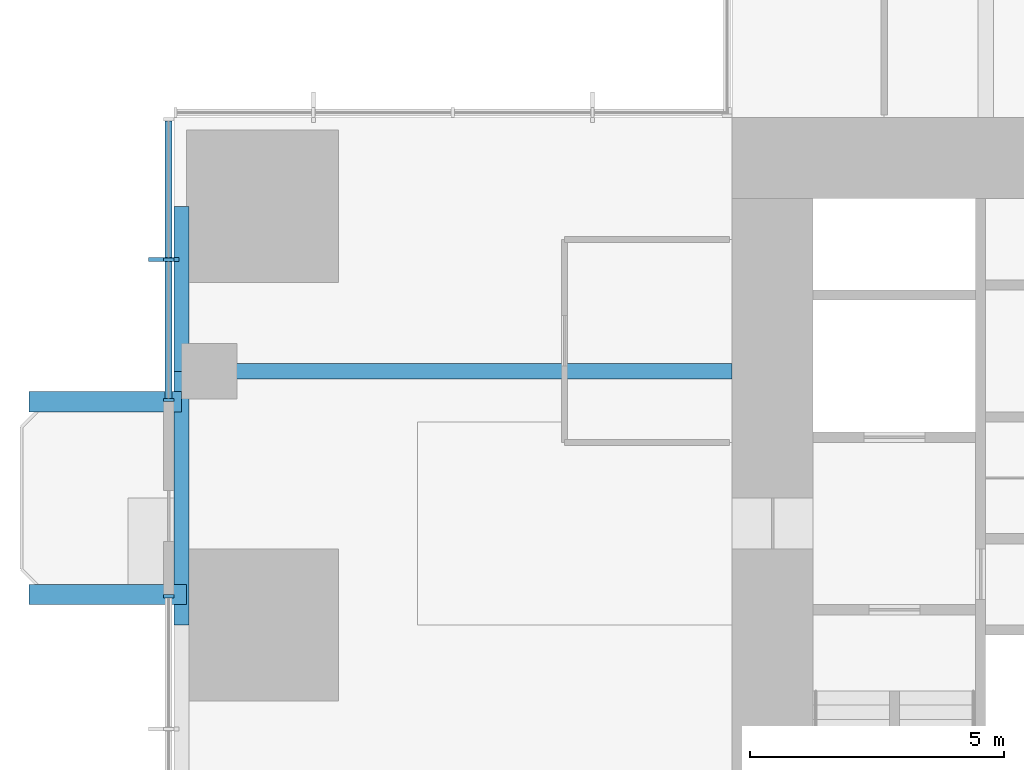
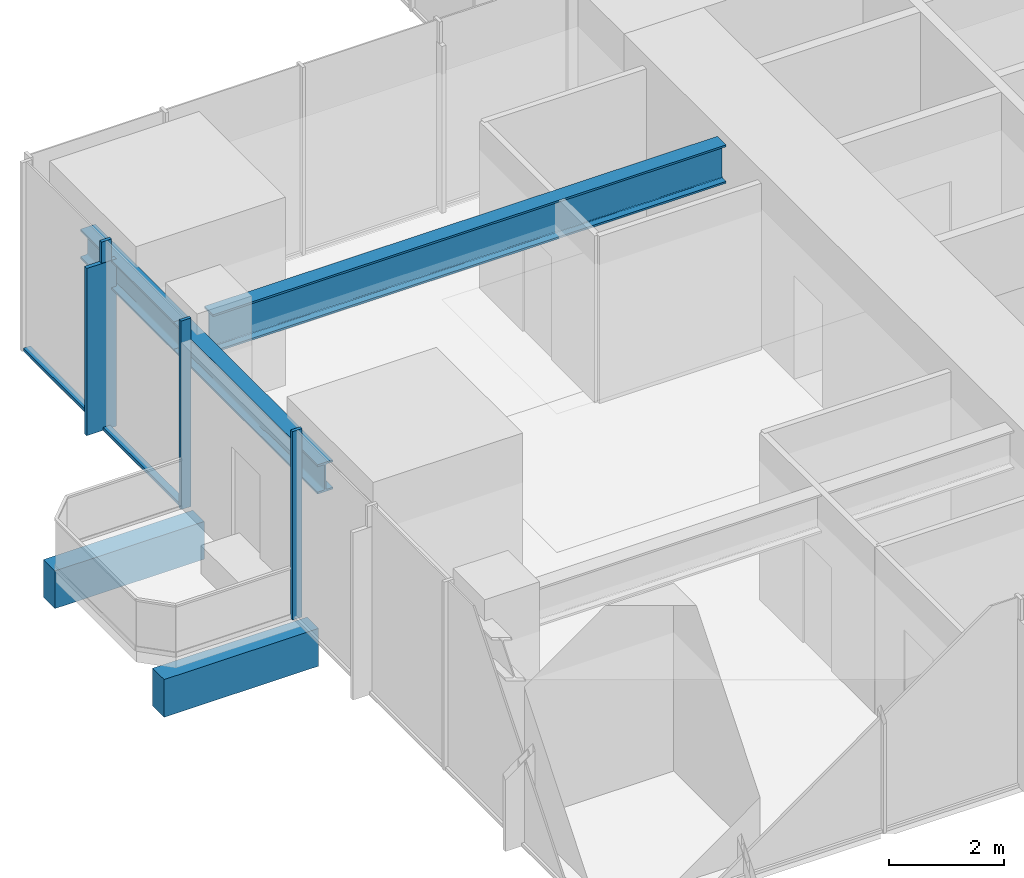
# One storey, part 3 of 13: 6 members, 5 beams, 2 elements without a shape of their own.
"""IFC4 building model written with IfcOpenShell, lengths in metres."""

from ifc_helpers import new_model, si_unit, direction, frame, origin, origin_2d, place, context, subcontext, project, spatial, rectangle, i_section, extrude, material, material_profile, profile_set, type_object, element, aggregate, save


model = new_model("IFC4")

# Units and contexts
model_context = context("Model", 3, precision=1e-05, world=origin(), true_north=direction((0.0, 1.0)))
body_context = subcontext(model_context, "Body", "Model", "MODEL_VIEW")
ifc_project = project(units=[si_unit("LENGTHUNIT", "METRE"), si_unit("AREAUNIT", "SQUARE_METRE"), si_unit("VOLUMEUNIT", "CUBIC_METRE"), si_unit("PLANEANGLEUNIT", "RADIAN"), si_unit("MASSUNIT", "GRAM", prefix="KILO")], contexts=[model_context])

# Site, building, storey
site_placement = place(None, origin())
site = spatial("IfcSite", under=ifc_project, at=site_placement, CompositionType="ELEMENT")
building_placement = place(site_placement, origin())
building = spatial("IfcBuilding", under=site, at=building_placement, Name="Svetlomir Tower", CompositionType="ELEMENT")
storey_placement = place(building_placement, frame((0.0, 0.0, 156.5)))
storey = spatial("IfcBuildingStorey", under=building, at=storey_placement, Name="L37", CompositionType="ELEMENT", Elevation=156.5)

# Beams
ifc_material_1 = material(Name="Concrete C60/75", Category="concrete")
ifc_material_profile_1 = material_profile(ifc_material_1, rectangle(XDim=0.39990234375, YDim=0.800048828125, at=origin_2d()), Name="RC 400x800")
ifc_profile_set_1 = profile_set([ifc_material_profile_1], Name="Concrete C60/75")
beam_type_1 = type_object("IfcBeamType", Name="BALCONY RIB RC 400x800", PredefinedType="BEAM", material=ifc_profile_set_1)
beam_1_placement = place(storey_placement, frame((0.25, 21.60009765625, -0.64990234375), z_axis=(-1.0, 0.0, 0.0), x_axis=(0.0, -1.0, 0.0)))
element("IfcBeam", 1, at=beam_1_placement, inside=storey, type_object=beam_type_1, Name="Balcony rib W 1 L37", PredefinedType="BEAM", context=body_context, shape_type="SweptSolid", body=[
    extrude(rectangle(XDim=0.39990234375, YDim=0.800048828125, at=origin_2d()), origin(), (0.0, 0.0, 1.0), 3.10009765625),
])
beam_2_placement = place(storey_placement, frame((0.14990234375, 25.39990234375, -0.64990234375), z_axis=(-1.0, 0.0, 0.0), x_axis=(0.0, -1.0, 0.0)))
element("IfcBeam", 2, at=beam_2_placement, inside=storey, type_object=beam_type_1, Name="Balcony rib W 2 L37", PredefinedType="BEAM", context=body_context, shape_type="SweptSolid", body=[
    extrude(rectangle(XDim=0.39990234375, YDim=0.800048828125, at=origin_2d()), origin(), (0.0, 0.0, 1.0), 3.0),
])

# Curtain wall, members
ifc_material_2 = material(Name="Bronze anodised aluminium curtain wall", Category="aluminium")
curtain_wall_type = type_object("IfcCurtainWallType", Name="CURTAIN WALL CW1 TOWER OFFICE", PredefinedType="NOTDEFINED", material=ifc_material_2)
curtain_wall_1_placement = place(storey_placement, origin())
curtain_wall_1 = element("IfcCurtainWall", 3, at=curtain_wall_1_placement, inside=storey, type_object=curtain_wall_type, Name="Curtain wall CW1 L37", PredefinedType="NOTDEFINED")
ifc_material_3 = material(Name="Bronze anodised aluminium", Category="aluminium")
ifc_material_profile_2 = material_profile(ifc_material_3, rectangle(XDim=0.080078125, YDim=0.60009765625, at=origin_2d()), Name="FIN 80x600")
ifc_profile_set_2 = profile_set([ifc_material_profile_2], Name="Bronze anodised aluminium 6063-T6")
member_type_1 = type_object("IfcMemberType", Name="BRONZE FIN 80x600", PredefinedType="USERDEFINED", material=ifc_profile_set_2)
member_1_placement = place(storey_placement, frame((-0.199951171875, 28.199951171875, 0.0), z_axis=(0.0, 0.0, 1.0), x_axis=(0.0, 1.0, 0.0)))
member_1 = element("IfcMember", 4, at=member_1_placement, type_object=member_type_1, Name="Bronze fin L37", ObjectType="FIN", PredefinedType="USERDEFINED", context=body_context, shape_type="SweptSolid", body=[
    extrude(rectangle(XDim=0.080078125, YDim=0.60009765625, at=origin_2d()), origin(), (0.0, 0.0, 1.0), 3.550048828125),
])
ifc_material_4 = material(Name="Bronze anodised aluminium", Category="aluminium")
ifc_material_profile_3 = material_profile(ifc_material_4, rectangle(XDim=0.06494140625, YDim=0.199951171875, at=origin_2d()), Name="AL 65x200")
ifc_profile_set_3 = profile_set([ifc_material_profile_3], Name="Bronze anodised aluminium 6063-T6")
member_type_2 = type_object("IfcMemberType", Name="CW1 MULLION 65x200", PredefinedType="MULLION", material=ifc_profile_set_3)
member_2_placement = place(storey_placement, frame((-0.10009765625, 28.199951171875, 0.0), z_axis=(0.0, 0.0, 1.0), x_axis=(0.0, -1.0, 0.0)))
member_2 = element("IfcMember", 5, at=member_2_placement, type_object=member_type_2, Name="CW1 mullion 2", PredefinedType="MULLION", context=body_context, shape_type="SweptSolid", body=[
    extrude(rectangle(XDim=0.06494140625, YDim=0.199951171875, at=origin_2d()), origin(), (0.0, 0.0, 1.0), 4.0),
])
member_3_placement = place(storey_placement, frame((-0.10009765625, 25.4326171875, 0.0), z_axis=(0.0, 0.0, 1.0), x_axis=(0.0, -1.0, 0.0)))
member_3 = element("IfcMember", 6, at=member_3_placement, type_object=member_type_2, Name="CW1 mullion 3", PredefinedType="MULLION", context=body_context, shape_type="SweptSolid", body=[
    extrude(rectangle(XDim=0.06494140625, YDim=0.199951171875, at=origin_2d()), origin(), (0.0, 0.0, 1.0), 4.0),
])

# Curtain wall, member
curtain_wall_2_placement = place(storey_placement, origin())
curtain_wall_2 = element("IfcCurtainWall", 7, at=curtain_wall_2_placement, inside=storey, type_object=curtain_wall_type, Name="Curtain wall CW1 L37", PredefinedType="NOTDEFINED")
member_4_placement = place(storey_placement, frame((-0.10009765625, 21.5673828125, 0.0), z_axis=(0.0, 0.0, 1.0), x_axis=(0.0, -1.0, 0.0)))
member_4 = element("IfcMember", 8, at=member_4_placement, type_object=member_type_2, Name="CW1 mullion 1", PredefinedType="MULLION", context=body_context, shape_type="SweptSolid", body=[
    extrude(rectangle(XDim=0.06494140625, YDim=0.199951171875, at=origin_2d()), origin(), (0.0, 0.0, 1.0), 4.0),
])
aggregate(curtain_wall_2, [member_4])

# Member
ifc_material_5 = material(Name="Bronze anodised aluminium", Category="aluminium")
ifc_material_profile_4 = material_profile(ifc_material_5, rectangle(XDim=0.139892578125, YDim=0.06494140625, at=origin_2d()), Name="AL 140x65")
ifc_profile_set_4 = profile_set([ifc_material_profile_4], Name="Bronze anodised aluminium 6063-T6")
member_type_3 = type_object("IfcMemberType", Name="CW1 TRANSOM 65x140", PredefinedType="USERDEFINED", material=ifc_profile_set_4)
member_5_placement = place(storey_placement, frame((-0.10009765625, 30.93505859375, 0.032470703125), z_axis=(0.0, -1.0, 0.0), x_axis=(1.0, 0.0, 0.0)))
member_5 = element("IfcMember", 9, at=member_5_placement, type_object=member_type_3, Name="CW1 transom 1.1", ObjectType="TRANSOM", PredefinedType="USERDEFINED", context=body_context, shape_type="SweptSolid", body=[
    extrude(rectangle(XDim=0.139892578125, YDim=0.06494140625, at=origin_2d()), origin(), (0.0, 0.0, 1.0), 2.70263671875),
])

member_6_placement = place(storey_placement, frame((-0.10009765625, 28.16748046875, 0.032470703125), z_axis=(0.0, -1.0, 0.0), x_axis=(1.0, 0.0, 0.0)))
member_6 = element("IfcMember", 10, at=member_6_placement, type_object=member_type_3, Name="CW1 transom 2.1", ObjectType="TRANSOM", PredefinedType="USERDEFINED", context=body_context, shape_type="SweptSolid", body=[
    extrude(rectangle(XDim=0.139892578125, YDim=0.06494140625, at=origin_2d()), origin(), (0.0, 0.0, 1.0), 2.702392578125),
])

aggregate(curtain_wall_1, [member_2, member_3, member_5, member_6, member_1])

# Beams
ifc_material_6 = material(Name="Steel S355", Category="steel")
ifc_material_profile_5 = material_profile(ifc_material_6, i_section(OverallWidth=0.304931640625, OverallDepth=0.6201171875, WebThickness=0.02099609375, FlangeThickness=0.0400390625, FilletRadius=0.027099609375, at=origin_2d()), Name="HEM 600")
ifc_profile_set_5 = profile_set([ifc_material_profile_5], Name="Steel S355")
beam_type_2 = type_object("IfcBeamType", Name="EDGE BEAM HEM 600", PredefinedType="SPANDREL", material=ifc_profile_set_5)
beam_3_placement = place(storey_placement, frame((0.152587890625, 21.0, 3.239990234375), z_axis=(0.0, 1.0, 0.0), x_axis=(-1.0, 0.0, 0.0)))
element("IfcBeam", 11, at=beam_3_placement, inside=storey, type_object=beam_type_2, Name="Edge beam 0/21 to 0/26 under L38", PredefinedType="SPANDREL", context=body_context, shape_type="SweptSolid", body=[
    extrude(i_section(OverallWidth=0.304931640625, OverallDepth=0.6201171875, WebThickness=0.02099609375, FlangeThickness=0.0400390625, FilletRadius=0.027099609375, at=origin_2d()), origin(), (0.0, 0.0, 1.0), 5.0),
])
beam_4_placement = place(storey_placement, frame((0.152587890625, 26.0, 3.239990234375), z_axis=(0.0, 1.0, 0.0), x_axis=(-1.0, 0.0, 0.0)))
element("IfcBeam", 12, at=beam_4_placement, inside=storey, type_object=beam_type_2, Name="Edge beam 0/26 to 0/31 under L38", PredefinedType="SPANDREL", context=body_context, shape_type="SweptSolid", body=[
    extrude(i_section(OverallWidth=0.304931640625, OverallDepth=0.6201171875, WebThickness=0.02099609375, FlangeThickness=0.0400390625, FilletRadius=0.027099609375, at=origin_2d()), origin(), (0.0, 0.0, 1.0), 3.25),
])
ifc_material_7 = material(Name="Steel S355", Category="steel")
ifc_material_profile_6 = material_profile(ifc_material_7, i_section(OverallWidth=0.302978515625, OverallDepth=0.81396484375, WebThickness=0.02099609375, FlangeThickness=0.0400390625, FilletRadius=0.030029296875, at=origin_2d()), Name="HEM 800")
ifc_profile_set_6 = profile_set([ifc_material_profile_6], Name="Steel S355")
beam_type_3 = type_object("IfcBeamType", Name="PLANT FLOOR BEAM HEM 800", PredefinedType="BEAM", material=ifc_profile_set_6)
beam_5_placement = place(storey_placement, frame((0.699951171875, 26.0, 3.14306640625), z_axis=(1.0, 0.0, 0.0), x_axis=(0.0, 1.0, 0.0)))
element("IfcBeam", 13, at=beam_5_placement, inside=storey, type_object=beam_type_3, Name="Plant floor beam W 26 under L38", PredefinedType="BEAM", context=body_context, shape_type="SweptSolid", body=[
    extrude(i_section(OverallWidth=0.302978515625, OverallDepth=0.81396484375, WebThickness=0.02099609375, FlangeThickness=0.0400390625, FilletRadius=0.030029296875, at=origin_2d()), origin(), (0.0, 0.0, 1.0), 10.300048828125),
])

save(model, "model.ifc")
